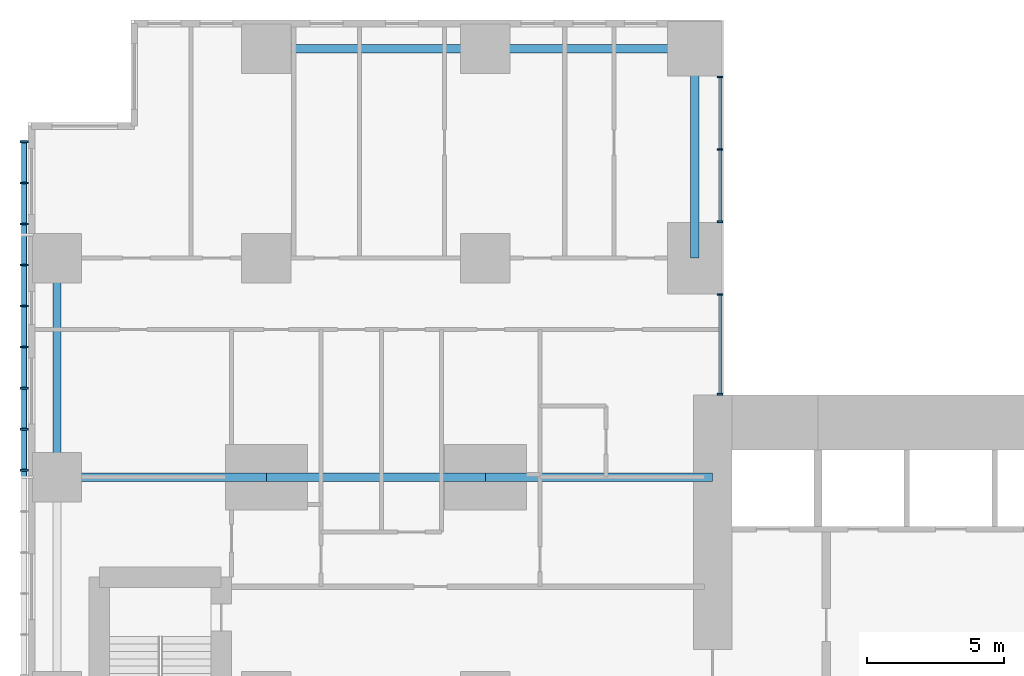
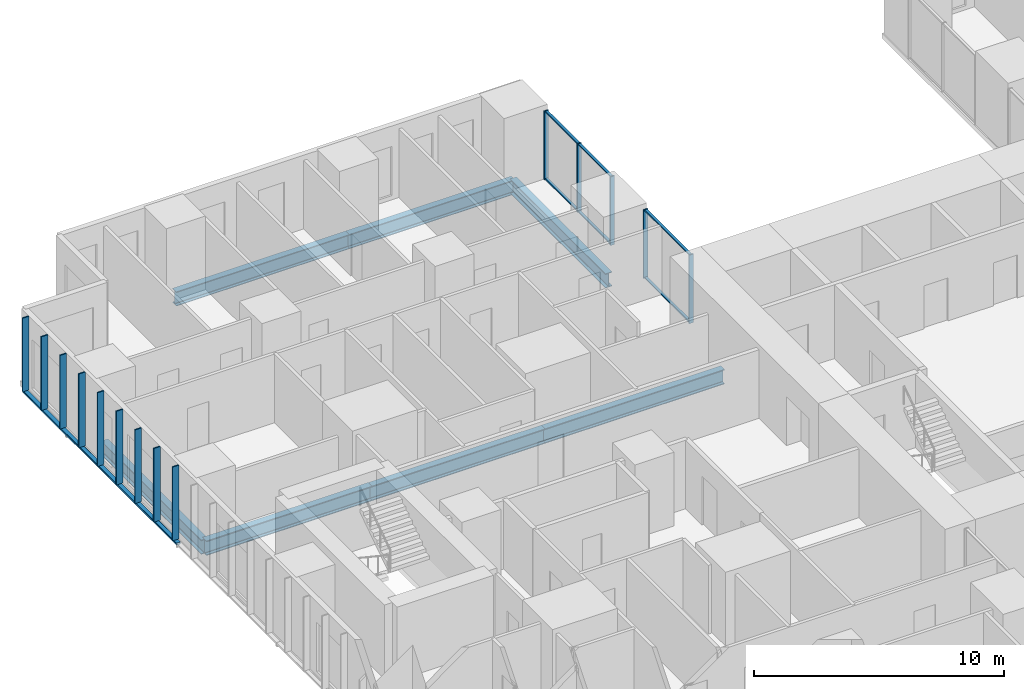
# One storey, part 4 of 20: 21 members, 7 beams, 2 elements without a shape of their own.
"""IFC4 building model written with IfcOpenShell, lengths in metres."""

from ifc_helpers import new_model, si_unit, direction, frame, origin, origin_2d, place, context, subcontext, project, spatial, rectangle, hollow_rectangle, i_section, extrude, material, layer, layer_set, material_profile, profile_set, type_object, element, aggregate, save


model = new_model("IFC4")

# Units and contexts
model_context = context("Model", 3, precision=1e-05, world=origin(), true_north=direction((0.0, 1.0)))
body_context = subcontext(model_context, "Body", "Model", "MODEL_VIEW")
ifc_project = project(units=[si_unit("LENGTHUNIT", "METRE"), si_unit("AREAUNIT", "SQUARE_METRE"), si_unit("VOLUMEUNIT", "CUBIC_METRE"), si_unit("PLANEANGLEUNIT", "RADIAN"), si_unit("MASSUNIT", "GRAM", prefix="KILO")], contexts=[model_context])

# Site, building, storey
site_placement = place(None, origin())
site = spatial("IfcSite", under=ifc_project, at=site_placement, CompositionType="ELEMENT")
building_placement = place(site_placement, origin())
building = spatial("IfcBuilding", under=site, at=building_placement, Name="Cleftline Residences", CompositionType="ELEMENT")
storey_placement = place(building_placement, frame((0.0, 0.0, 185.800048828125)))
storey = spatial("IfcBuildingStorey", under=building, at=storey_placement, Name="L48", CompositionType="ELEMENT", Elevation=185.800048828125)

# Member
ifc_material_1 = material(Name="Steel S355, hot-dip galvanised", Category="steel")
ifc_material_profile_1 = material_profile(ifc_material_1, hollow_rectangle(XDim=0.10009765625, YDim=0.199951171875, WallThickness=0.008056640625, InnerFilletRadius=0.008056640625, OuterFilletRadius=0.011962890625, at=origin_2d()))
ifc_profile_set_1 = profile_set([ifc_material_profile_1], Name="Steel S355, hot-dip galvanised")
member_type_1 = type_object("IfcMemberType", Name="BAGUETTE CARRIER RHS 200X100X8", PredefinedType="USERDEFINED", material=ifc_profile_set_1)
member_1_placement = place(storey_placement, frame((-0.85009765625, 44.300048828125, -0.050048828125), z_axis=(0.0, -1.0, 0.0), x_axis=(0.0, 0.0, 1.0)))
element("IfcMember", 1, at=member_1_placement, inside=storey, type_object=member_type_1, Name="Baguette carrier", ObjectType="BAGUETTE CARRIER", PredefinedType="USERDEFINED", context=body_context, shape_type="SweptSolid", body=[
    extrude(hollow_rectangle(XDim=0.10009765625, YDim=0.199951171875, WallThickness=0.008056640625, InnerFilletRadius=0.008056640625, OuterFilletRadius=0.011962890625, at=origin_2d()), origin(), (0.0, 0.0, 1.0), 12.300048828125),
])

# Beams
ifc_material_2 = material(Name="Steel S355", Category="steel")
ifc_material_profile_2 = material_profile(ifc_material_2, i_section(OverallWidth=0.300048828125, OverallDepth=0.699951171875, WebThickness=0.01708984375, FlangeThickness=0.031982421875, FilletRadius=0.027099609375, at=origin_2d()))
ifc_profile_set_2 = profile_set([ifc_material_profile_2], Name="Steel S355")
beam_type_1 = type_object("IfcBeamType", Name="BEAM HEB 700", PredefinedType="BEAM", material=ifc_profile_set_2)
for number, where, z_axis, x_axis, name in (
    (2, (0.35009765625, 32.0, -0.60009765625), (0.0, 1.0, 0.0), (-1.0, 0.0, 0.0), "Edge beam"),
    (3, (8.0, 47.64990234375, -0.60009765625), (1.0, 0.0, 0.0), (0.0, 1.0, 0.0), "Edge beam"),
):
    element("IfcBeam", number, at=place(storey_placement, frame(where, z_axis=z_axis, x_axis=x_axis)), inside=storey, type_object=beam_type_1, Name=name, PredefinedType="BEAM", context=body_context, shape_type="SweptSolid", body=[
        extrude(i_section(OverallWidth=0.300048828125, OverallDepth=0.699951171875, WebThickness=0.01708984375, FlangeThickness=0.031982421875, FilletRadius=0.027099609375, at=origin_2d()), origin(), (0.0, 0.0, 1.0), 8.0),
    ])
for number, where, z_axis, x_axis, name in (
    (4, (16.0, 47.64990234375, -0.60009765625), (1.0, 0.0, 0.0), (0.0, 1.0, 0.0), "Edge beam"),
    (5, (23.64990234375, 47.64990234375, -0.60009765625), (0.0, -1.0, 0.0), (1.0, 0.0, 0.0), "Edge beam"),
):
    element("IfcBeam", number, at=place(storey_placement, frame(where, z_axis=z_axis, x_axis=x_axis)), inside=storey, type_object=beam_type_1, Name=name, PredefinedType="BEAM", context=body_context, shape_type="SweptSolid", body=[
        extrude(i_section(OverallWidth=0.300048828125, OverallDepth=0.699951171875, WebThickness=0.01708984375, FlangeThickness=0.031982421875, FilletRadius=0.027099609375, at=origin_2d()), origin(), (0.0, 0.0, 1.0), 7.64990234375),
    ])
ifc_material_3 = material(Name="Steel S355", Category="steel")
ifc_material_profile_3 = material_profile(ifc_material_3, i_section(OverallWidth=0.303955078125, OverallDepth=0.716064453125, WebThickness=0.02099609375, FlangeThickness=0.0400390625, FilletRadius=0.027099609375, at=origin_2d()))
ifc_profile_set_3 = profile_set([ifc_material_profile_3], Name="Steel S355")
beam_type_2 = type_object("IfcBeamType", Name="BEAM HEM 700", PredefinedType="BEAM", material=ifc_profile_set_3)
beam_1_placement = place(storey_placement, frame((0.35009765625, 32.0, -0.608154296875), z_axis=(1.0, 0.0, 0.0), x_axis=(0.0, 1.0, 0.0)))
element("IfcBeam", 6, at=beam_1_placement, inside=storey, type_object=beam_type_2, Name="Band beam", PredefinedType="BEAM", context=body_context, shape_type="SweptSolid", body=[
    extrude(i_section(OverallWidth=0.303955078125, OverallDepth=0.716064453125, WebThickness=0.02099609375, FlangeThickness=0.0400390625, FilletRadius=0.027099609375, at=origin_2d()), origin(), (0.0, 0.0, 1.0), 7.64990234375),
])
beam_2_placement = place(storey_placement, frame((8.0, 32.0, -0.608154296875), z_axis=(1.0, 0.0, 0.0), x_axis=(0.0, 1.0, 0.0)))
element("IfcBeam", 7, at=beam_2_placement, inside=storey, type_object=beam_type_2, Name="Band beam", PredefinedType="BEAM", context=body_context, shape_type="SweptSolid", body=[
    extrude(i_section(OverallWidth=0.303955078125, OverallDepth=0.716064453125, WebThickness=0.02099609375, FlangeThickness=0.0400390625, FilletRadius=0.027099609375, at=origin_2d()), origin(), (0.0, 0.0, 1.0), 8.0),
])
beam_3_placement = place(storey_placement, frame((16.0, 32.0, -0.608154296875), z_axis=(1.0, 0.0, 0.0), x_axis=(0.0, 1.0, 0.0)))
element("IfcBeam", 8, at=beam_3_placement, inside=storey, type_object=beam_type_2, Name="Band beam", PredefinedType="BEAM", context=body_context, shape_type="SweptSolid", body=[
    extrude(i_section(OverallWidth=0.303955078125, OverallDepth=0.716064453125, WebThickness=0.02099609375, FlangeThickness=0.0400390625, FilletRadius=0.027099609375, at=origin_2d()), origin(), (0.0, 0.0, 1.0), 8.300048828125),
])

# Curtain wall, members
ifc_material_4 = material(Name="Aluminium framed curtain wall", Category="aluminium")
ifc_layer = layer(ifc_material_4, 0.199951171875)
ifc_layer_set = layer_set([ifc_layer], Name="CW1 CLEFT GLAZING")
curtain_wall_type = type_object("IfcCurtainWallType", Name="CW1 CLEFT GLAZING", PredefinedType="NOTDEFINED", material=ifc_layer_set)
curtain_wall_1_placement = place(storey_placement, origin())
curtain_wall_1 = element("IfcCurtainWall", 9, at=curtain_wall_1_placement, inside=storey, type_object=curtain_wall_type, Name="Curtain wall CW1", PredefinedType="NOTDEFINED")
ifc_material_5 = material(Name="Aluminium mullion", Category="aluminium")
ifc_material_profile_4 = material_profile(ifc_material_5, rectangle(XDim=0.199951171875, YDim=0.06005859375, at=origin_2d()))
ifc_profile_set_4 = profile_set([ifc_material_profile_4], Name="Aluminium mullion")
member_type_2 = type_object("IfcMemberType", Name="CW1 MULLION", PredefinedType="MULLION", material=ifc_profile_set_4)
member_2_placement = place(storey_placement, frame((24.574951171875, 35.030029296875, 0.0), z_axis=(0.0, 0.0, 1.0), x_axis=(-1.0, 0.0, 0.0)))
member_2 = element("IfcMember", 10, at=member_2_placement, type_object=member_type_2, Name="CW1 mullion 1", PredefinedType="MULLION", context=body_context, shape_type="SweptSolid", body=[
    extrude(rectangle(XDim=0.199951171875, YDim=0.06005859375, at=origin_2d()), origin(), (0.0, 0.0, 1.0), 3.349853515625),
])
member_3_placement = place(storey_placement, frame((24.574951171875, 38.669921875, 0.0), z_axis=(0.0, 0.0, 1.0), x_axis=(-1.0, 0.0, 0.0)))
member_3 = element("IfcMember", 11, at=member_3_placement, type_object=member_type_2, Name="CW1 mullion 2", PredefinedType="MULLION", context=body_context, shape_type="SweptSolid", body=[
    extrude(rectangle(XDim=0.199951171875, YDim=0.06005859375, at=origin_2d()), origin(), (0.0, 0.0, 1.0), 3.349853515625),
])

curtain_wall_2_placement = place(storey_placement, origin())
curtain_wall_2 = element("IfcCurtainWall", 12, at=curtain_wall_2_placement, inside=storey, type_object=curtain_wall_type, Name="Curtain wall CW1", PredefinedType="NOTDEFINED")
member_4_placement = place(storey_placement, frame((24.574951171875, 41.330078125, 0.0), z_axis=(0.0, 0.0, 1.0), x_axis=(-1.0, 0.0, 0.0)))
member_4 = element("IfcMember", 13, at=member_4_placement, type_object=member_type_2, Name="CW1 mullion 1", PredefinedType="MULLION", context=body_context, shape_type="SweptSolid", body=[
    extrude(rectangle(XDim=0.199951171875, YDim=0.06005859375, at=origin_2d()), origin(), (0.0, 0.0, 1.0), 3.349853515625),
])
member_5_placement = place(storey_placement, frame((24.574951171875, 43.97509765625, 0.0), z_axis=(0.0, 0.0, 1.0), x_axis=(-1.0, 0.0, 0.0)))
member_5 = element("IfcMember", 14, at=member_5_placement, type_object=member_type_2, Name="CW1 mullion 2", PredefinedType="MULLION", context=body_context, shape_type="SweptSolid", body=[
    extrude(rectangle(XDim=0.199951171875, YDim=0.06005859375, at=origin_2d()), origin(), (0.0, 0.0, 1.0), 3.349853515625),
])
member_6_placement = place(storey_placement, frame((24.574951171875, 46.6201171875, 0.0), z_axis=(0.0, 0.0, 1.0), x_axis=(-1.0, 0.0, 0.0)))
member_6 = element("IfcMember", 15, at=member_6_placement, type_object=member_type_2, Name="CW1 mullion 3", PredefinedType="MULLION", context=body_context, shape_type="SweptSolid", body=[
    extrude(rectangle(XDim=0.199951171875, YDim=0.06005859375, at=origin_2d()), origin(), (0.0, 0.0, 1.0), 3.349853515625),
])

# Member
ifc_material_6 = material(Name="Aluminium transom", Category="aluminium")
ifc_material_profile_5 = material_profile(ifc_material_6, rectangle(XDim=0.1201171875, YDim=0.06005859375, at=origin_2d()))
ifc_profile_set_5 = profile_set([ifc_material_profile_5], Name="Aluminium transom")
member_type_3 = type_object("IfcMemberType", Name="CW1 TRANSOM", PredefinedType="USERDEFINED", material=ifc_profile_set_5)
member_7_placement = place(storey_placement, frame((24.574951171875, 35.06005859375, 0.030029296875), z_axis=(0.0, 1.0, 0.0), x_axis=(-1.0, 0.0, 0.0)))
member_7 = element("IfcMember", 16, at=member_7_placement, type_object=member_type_3, Name="CW1 transom 1.1", ObjectType="TRANSOM", PredefinedType="USERDEFINED", context=body_context, shape_type="SweptSolid", body=[
    extrude(rectangle(XDim=0.1201171875, YDim=0.06005859375, at=origin_2d()), origin(), (0.0, 0.0, 1.0), 3.579833984375),
])

member_8_placement = place(storey_placement, frame((24.574951171875, 35.06005859375, 3.320068359375), z_axis=(0.0, 1.0, 0.0), x_axis=(-1.0, 0.0, 0.0)))
member_8 = element("IfcMember", 17, at=member_8_placement, type_object=member_type_3, Name="CW1 transom 1.2", ObjectType="TRANSOM", PredefinedType="USERDEFINED", context=body_context, shape_type="SweptSolid", body=[
    extrude(rectangle(XDim=0.1201171875, YDim=0.06005859375, at=origin_2d()), origin(), (0.0, 0.0, 1.0), 3.579833984375),
])

aggregate(curtain_wall_1, [member_2, member_3, member_7, member_8])

member_9_placement = place(storey_placement, frame((24.574951171875, 41.360107421875, 0.030029296875), z_axis=(0.0, 1.0, 0.0), x_axis=(-1.0, 0.0, 0.0)))
member_9 = element("IfcMember", 18, at=member_9_placement, type_object=member_type_3, Name="CW1 transom 1.1", ObjectType="TRANSOM", PredefinedType="USERDEFINED", context=body_context, shape_type="SweptSolid", body=[
    extrude(rectangle(XDim=0.1201171875, YDim=0.06005859375, at=origin_2d()), origin(), (0.0, 0.0, 1.0), 2.5849609375),
])

member_10_placement = place(storey_placement, frame((24.574951171875, 41.360107421875, 3.320068359375), z_axis=(0.0, 1.0, 0.0), x_axis=(-1.0, 0.0, 0.0)))
member_10 = element("IfcMember", 19, at=member_10_placement, type_object=member_type_3, Name="CW1 transom 1.2", ObjectType="TRANSOM", PredefinedType="USERDEFINED", context=body_context, shape_type="SweptSolid", body=[
    extrude(rectangle(XDim=0.1201171875, YDim=0.06005859375, at=origin_2d()), origin(), (0.0, 0.0, 1.0), 2.5849609375),
])

member_11_placement = place(storey_placement, frame((24.574951171875, 44.0048828125, 0.030029296875), z_axis=(0.0, 1.0, 0.0), x_axis=(-1.0, 0.0, 0.0)))
member_11 = element("IfcMember", 20, at=member_11_placement, type_object=member_type_3, Name="CW1 transom 2.1", ObjectType="TRANSOM", PredefinedType="USERDEFINED", context=body_context, shape_type="SweptSolid", body=[
    extrude(rectangle(XDim=0.1201171875, YDim=0.06005859375, at=origin_2d()), origin(), (0.0, 0.0, 1.0), 2.585205078125),
])

member_12_placement = place(storey_placement, frame((24.574951171875, 44.0048828125, 3.320068359375), z_axis=(0.0, 1.0, 0.0), x_axis=(-1.0, 0.0, 0.0)))
member_12 = element("IfcMember", 21, at=member_12_placement, type_object=member_type_3, Name="CW1 transom 2.2", ObjectType="TRANSOM", PredefinedType="USERDEFINED", context=body_context, shape_type="SweptSolid", body=[
    extrude(rectangle(XDim=0.1201171875, YDim=0.06005859375, at=origin_2d()), origin(), (0.0, 0.0, 1.0), 2.585205078125),
])

aggregate(curtain_wall_2, [member_4, member_5, member_6, member_9, member_10, member_11, member_12])

# Members
ifc_material_7 = material(Name="Extruded terracotta", Category="masonry")
ifc_material_profile_6 = material_profile(ifc_material_7, rectangle(XDim=0.06005859375, YDim=0.300048828125, at=origin_2d()))
ifc_profile_set_6 = profile_set([ifc_material_profile_6], Name="Extruded terracotta")
member_type_4 = type_object("IfcMemberType", Name="TERRACOTTA BAGUETTE 60X300", PredefinedType="USERDEFINED", material=ifc_profile_set_6)
for number, where, z_axis, x_axis, name in (
    (22, (-0.85009765625, 44.25, 0.0), (0.0, 0.0, 1.0), (0.0, 1.0, 0.0), "Terracotta baguette"),
    (23, (-0.85009765625, 42.75, 0.0), (0.0, 0.0, 1.0), (0.0, 1.0, 0.0), "Terracotta baguette"),
    (24, (-0.85009765625, 41.25, 0.0), (0.0, 0.0, 1.0), (0.0, 1.0, 0.0), "Terracotta baguette"),
    (25, (-0.85009765625, 39.75, 0.0), (0.0, 0.0, 1.0), (0.0, 1.0, 0.0), "Terracotta baguette"),
    (26, (-0.85009765625, 38.25, 0.0), (0.0, 0.0, 1.0), (0.0, 1.0, 0.0), "Terracotta baguette"),
    (27, (-0.85009765625, 36.75, 0.0), (0.0, 0.0, 1.0), (0.0, 1.0, 0.0), "Terracotta baguette"),
    (28, (-0.85009765625, 35.25, 0.0), (0.0, 0.0, 1.0), (0.0, 1.0, 0.0), "Terracotta baguette"),
    (29, (-0.85009765625, 33.75, 0.0), (0.0, 0.0, 1.0), (0.0, 1.0, 0.0), "Terracotta baguette"),
    (30, (-0.85009765625, 32.25, 0.0), (0.0, 0.0, 1.0), (0.0, 1.0, 0.0), "Terracotta baguette"),
):
    element("IfcMember", number, at=place(storey_placement, frame(where, z_axis=z_axis, x_axis=x_axis)), inside=storey, type_object=member_type_4, Name=name, ObjectType="BAGUETTE", PredefinedType="USERDEFINED", context=body_context, shape_type="SweptSolid", body=[
        extrude(rectangle(XDim=0.06005859375, YDim=0.300048828125, at=origin_2d()), origin(), (0.0, 0.0, 1.0), 3.599853515625),
    ])

save(model, "model.ifc")
